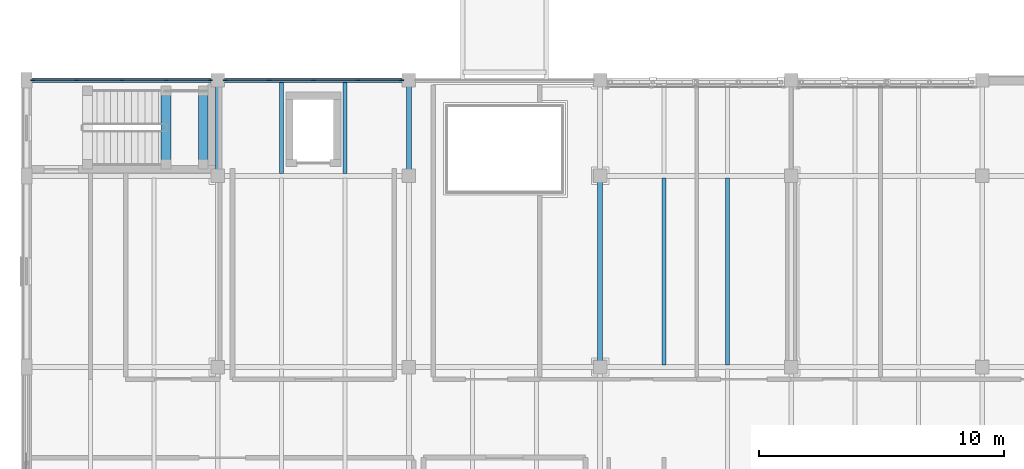
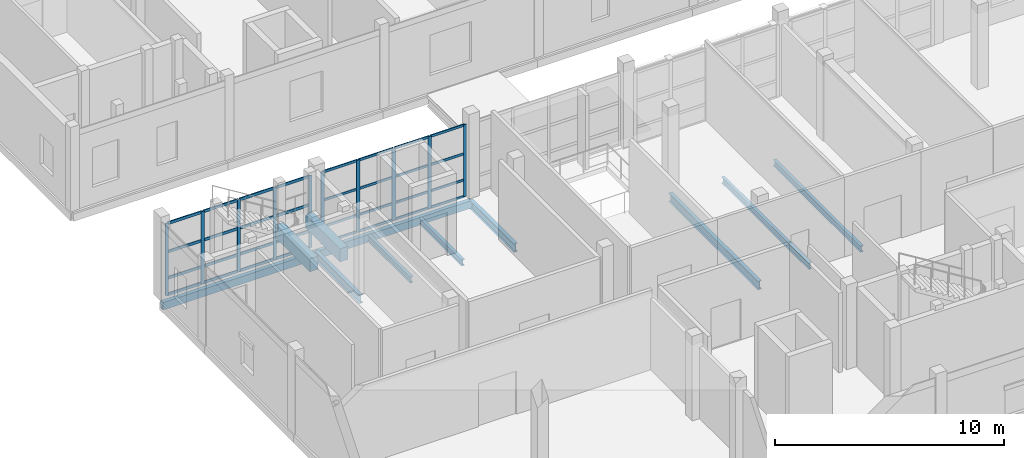
# One storey, part 17 of 119: 42 members, 11 beams, 2 elements without a shape of their own.
"""IFC4 building model written with IfcOpenShell, lengths in metres."""

from ifc_helpers import new_model, si_unit, direction, frame, origin, origin_2d, place, context, subcontext, project, spatial, rectangle, hollow_rectangle, i_section, extrude, material, layer, layer_set, material_profile, profile_set, type_object, element, aggregate, save


model = new_model("IFC4")

# Units and contexts
model_context = context("Model", 3, precision=1e-05, world=origin(), true_north=direction((0.0, 1.0)))
body_context = subcontext(model_context, "Body", "Model", "MODEL_VIEW")
ifc_project = project(units=[si_unit("LENGTHUNIT", "METRE"), si_unit("AREAUNIT", "SQUARE_METRE"), si_unit("VOLUMEUNIT", "CUBIC_METRE"), si_unit("PLANEANGLEUNIT", "RADIAN"), si_unit("MASSUNIT", "GRAM", prefix="KILO")], contexts=[model_context])

# Site, building, storey
site_placement = place(None, origin())
site = spatial("IfcSite", under=ifc_project, at=site_placement, CompositionType="ELEMENT")
building_placement = place(site_placement, origin())
building = spatial("IfcBuilding", under=site, at=building_placement, Name="Celorna Specialist Clinic", CompositionType="ELEMENT")
storey_placement = place(building_placement, frame((0.0, 0.0, 9.60009765625)))
storey = spatial("IfcBuildingStorey", under=building, at=storey_placement, Name="L02", CompositionType="ELEMENT", Elevation=9.60009765625)

# Beams
ifc_material_1 = material(Name="Steel S355", Category="steel")
ifc_material_profile_1 = material_profile(ifc_material_1, i_section(OverallWidth=0.18994140625, OverallDepth=0.449951171875, WebThickness=0.009521484375, FlangeThickness=0.0146484375, at=origin_2d()), Name="IPE 450")
ifc_profile_set_1 = profile_set([ifc_material_profile_1], Name="Steel S355")
beam_type_1 = type_object("IfcBeamType", Name="BM-09", PredefinedType="BEAM", material=ifc_profile_set_1)
for number, where, z_axis, x_axis, name in (
    (1, (7.800048828125, 23.39990234375, -0.485107421875), (0.0, 1.0, 0.0), (-1.0, 0.0, 0.0), "Transverse girder BM-09 #1748"),
    (2, (15.60009765625, 23.39990234375, -0.485107421875), (0.0, 1.0, 0.0), (-1.0, 0.0, 0.0), "Transverse girder BM-09 #1753"),
):
    element("IfcBeam", number, at=place(storey_placement, frame(where, z_axis=z_axis, x_axis=x_axis)), inside=storey, type_object=beam_type_1, Name=name, PredefinedType="BEAM", context=body_context, shape_type="SweptSolid", body=[
        extrude(i_section(OverallWidth=0.18994140625, OverallDepth=0.449951171875, WebThickness=0.009521484375, FlangeThickness=0.0146484375, at=origin_2d()), origin(), (0.0, 0.0, 1.0), 3.900146484375),
    ])
beam_placement = place(storey_placement, frame((23.39990234375, 15.60009765625, -0.485107421875), z_axis=(0.0, 1.0, 0.0), x_axis=(-1.0, 0.0, 0.0)))
element("IfcBeam", 3, at=beam_placement, inside=storey, type_object=beam_type_1, Name="Transverse girder BM-09 #1757", PredefinedType="BEAM", context=body_context, shape_type="SweptSolid", body=[
    extrude(i_section(OverallWidth=0.18994140625, OverallDepth=0.449951171875, WebThickness=0.009521484375, FlangeThickness=0.0146484375, at=origin_2d()), origin(), (0.0, 0.0, 1.0), 7.7998046875),
])
ifc_material_profile_2 = material_profile(ifc_material_1, i_section(OverallWidth=0.159912109375, OverallDepth=0.330078125, WebThickness=0.007568359375, FlangeThickness=0.011474609375, at=origin_2d()), Name="IPE 330")
ifc_profile_set_2 = profile_set([ifc_material_profile_2], Name="Steel S355")
beam_type_2 = type_object("IfcBeamType", Name="BM-12", PredefinedType="JOIST", material=ifc_profile_set_2)
for number, where, z_axis, x_axis, name in (
    (4, (10.39990234375, 23.488037109375, -0.425048828125), (0.0, 1.0, 0.0), (-1.0, 0.0, 0.0), "Secondary floor joist BM-12 #1790"),
    (5, (13.0, 23.488037109375, -0.425048828125), (0.0, 1.0, 0.0), (-1.0, 0.0, 0.0), "Secondary floor joist BM-12 #1791"),
):
    element("IfcBeam", number, at=place(storey_placement, frame(where, z_axis=z_axis, x_axis=x_axis)), inside=storey, type_object=beam_type_2, Name=name, PredefinedType="JOIST", context=body_context, shape_type="SweptSolid", body=[
        extrude(i_section(OverallWidth=0.159912109375, OverallDepth=0.330078125, WebThickness=0.007568359375, FlangeThickness=0.011474609375, at=origin_2d()), origin(), (0.0, 0.0, 1.0), 3.723876953125),
    ])
for number, where, z_axis, x_axis, name in (
    (6, (26.0, 15.68798828125, -0.425048828125), (0.0, 1.0, 0.0), (-1.0, 0.0, 0.0), "Secondary floor joist BM-12 #1801"),
    (7, (28.60009765625, 15.68798828125, -0.425048828125), (0.0, 1.0, 0.0), (-1.0, 0.0, 0.0), "Secondary floor joist BM-12 #1802"),
):
    element("IfcBeam", number, at=place(storey_placement, frame(where, z_axis=z_axis, x_axis=x_axis)), inside=storey, type_object=beam_type_2, Name=name, PredefinedType="JOIST", context=body_context, shape_type="SweptSolid", body=[
        extrude(i_section(OverallWidth=0.159912109375, OverallDepth=0.330078125, WebThickness=0.007568359375, FlangeThickness=0.011474609375, at=origin_2d()), origin(), (0.0, 0.0, 1.0), 7.6240234375),
    ])
ifc_material_profile_3 = material_profile(ifc_material_1, hollow_rectangle(XDim=0.199951171875, YDim=0.39990234375, WallThickness=0.011962890625, at=origin_2d()), Name="RHS 200x400x12")
ifc_profile_set_3 = profile_set([ifc_material_profile_3], Name="Steel S355")
beam_type_3 = type_object("IfcBeamType", Name="BM-15", PredefinedType="SPANDREL", material=ifc_profile_set_3)
for number, where, z_axis, x_axis, name in (
    (8, (0.0, 27.300048828125, -0.460205078125), (1.0, 0.0, 0.0), (0.0, 1.0, 0.0), "Spandrel beam BM-15 #1733"),
    (9, (7.800048828125, 27.300048828125, -0.460205078125), (1.0, 0.0, 0.0), (0.0, 1.0, 0.0), "Spandrel beam BM-15 #1734"),
):
    element("IfcBeam", number, at=place(storey_placement, frame(where, z_axis=z_axis, x_axis=x_axis)), inside=storey, type_object=beam_type_3, Name=name, PredefinedType="SPANDREL", context=body_context, shape_type="SweptSolid", body=[
        extrude(hollow_rectangle(XDim=0.199951171875, YDim=0.39990234375, WallThickness=0.011962890625, at=origin_2d()), origin(), (0.0, 0.0, 1.0), 7.800048828125),
    ])
ifc_material_2 = material(Name="Concrete C35/45", Category="concrete")
ifc_material_profile_4 = material_profile(ifc_material_2, rectangle(XDim=0.39990234375, YDim=0.699951171875, at=origin_2d()), Name="RC 400x700")
ifc_profile_set_4 = profile_set([ifc_material_profile_4], Name="Concrete C35/45")
beam_type_4 = type_object("IfcBeamType", Name="BM-19", PredefinedType="BEAM", material=ifc_profile_set_4)
for number, where, z_axis, x_axis, name in (
    (10, (5.68994140625, 23.8701171875, 1.824951171875), (0.0, 1.0, 0.0), (-1.0, 0.0, 0.0), "Stair ST-04 half-landing beam L02"),
    (11, (7.2099609375, 23.8701171875, 1.824951171875), (0.0, 1.0, 0.0), (-1.0, 0.0, 0.0), "Stair ST-04 half-landing beam L02"),
):
    element("IfcBeam", number, at=place(storey_placement, frame(where, z_axis=z_axis, x_axis=x_axis)), inside=storey, type_object=beam_type_4, Name=name, PredefinedType="BEAM", context=body_context, shape_type="SweptSolid", body=[
        extrude(rectangle(XDim=0.39990234375, YDim=0.699951171875, at=origin_2d()), origin(), (0.0, 0.0, 1.0), 3.0),
    ])

# Curtain wall, members
ifc_material_3 = material(Name="Thermally broken aluminium and solar-control glass curtain wall", Category="aluminium")
ifc_layer_1 = layer(ifc_material_3, 0.159912109375, Name="Thermally broken aluminium and solar-control glass curtain wall")
ifc_layer_set_1 = layer_set([ifc_layer_1], Name="Thermally broken aluminium and solar-control glass curtain wall")
curtain_wall_type_1 = type_object("IfcCurtainWallType", Name="CW-87", PredefinedType="NOTDEFINED", material=ifc_layer_set_1)
curtain_wall_1_placement = place(storey_placement, origin())
curtain_wall_1 = element("IfcCurtainWall", 12, at=curtain_wall_1_placement, inside=storey, type_object=curtain_wall_type_1, Name="Curtain wall CW-87 #161", PredefinedType="NOTDEFINED")
ifc_material_4 = material(Name="Anodized aluminium mullion", Category="aluminium")
ifc_material_profile_5 = material_profile(ifc_material_4, rectangle(XDim=0.050048828125, YDim=0.159912109375, at=origin_2d()), Name="ALU MULLION 50x160")
ifc_profile_set_5 = profile_set([ifc_material_profile_5], Name="Anodized aluminium mullion")
member_type_1 = type_object("IfcMemberType", Name="ML-01", PredefinedType="MULLION", material=ifc_profile_set_5)
member_1_placement = place(storey_placement, frame((0.25390625, 27.300048828125, 0.0), z_axis=(0.0, 0.0, 1.0), x_axis=(0.0, 1.0, 0.0)))
member_1 = element("IfcMember", 13, at=member_1_placement, type_object=member_type_1, Name="CW-87 mullion 1", PredefinedType="MULLION", context=body_context, shape_type="SweptSolid", body=[
    extrude(rectangle(XDim=0.050048828125, YDim=0.159912109375, at=origin_2d()), origin(), (0.0, 0.0, 1.0), 3.83984375),
])
member_2_placement = place(storey_placement, frame((2.052001953125, 27.300048828125, 0.0), z_axis=(0.0, 0.0, 1.0), x_axis=(0.0, 1.0, 0.0)))
member_2 = element("IfcMember", 14, at=member_2_placement, type_object=member_type_1, Name="CW-87 mullion 2", PredefinedType="MULLION", context=body_context, shape_type="SweptSolid", body=[
    extrude(rectangle(XDim=0.050048828125, YDim=0.159912109375, at=origin_2d()), origin(), (0.0, 0.0, 1.0), 3.83984375),
])
member_3_placement = place(storey_placement, frame((3.875, 27.300048828125, 0.0), z_axis=(0.0, 0.0, 1.0), x_axis=(0.0, 1.0, 0.0)))
member_3 = element("IfcMember", 15, at=member_3_placement, type_object=member_type_1, Name="CW-87 mullion 3", PredefinedType="MULLION", context=body_context, shape_type="SweptSolid", body=[
    extrude(rectangle(XDim=0.050048828125, YDim=0.159912109375, at=origin_2d()), origin(), (0.0, 0.0, 1.0), 3.83984375),
])
member_4_placement = place(storey_placement, frame((5.697998046875, 27.300048828125, 0.0), z_axis=(0.0, 0.0, 1.0), x_axis=(0.0, 1.0, 0.0)))
member_4 = element("IfcMember", 16, at=member_4_placement, type_object=member_type_1, Name="CW-87 mullion 4", PredefinedType="MULLION", context=body_context, shape_type="SweptSolid", body=[
    extrude(rectangle(XDim=0.050048828125, YDim=0.159912109375, at=origin_2d()), origin(), (0.0, 0.0, 1.0), 3.83984375),
])
member_5_placement = place(storey_placement, frame((7.49609375, 27.300048828125, 0.0), z_axis=(0.0, 0.0, 1.0), x_axis=(0.0, 1.0, 0.0)))
member_5 = element("IfcMember", 17, at=member_5_placement, type_object=member_type_1, Name="CW-87 mullion 5", PredefinedType="MULLION", context=body_context, shape_type="SweptSolid", body=[
    extrude(rectangle(XDim=0.050048828125, YDim=0.159912109375, at=origin_2d()), origin(), (0.0, 0.0, 1.0), 3.83984375),
])

ifc_layer_2 = layer(ifc_material_3, 0.159912109375, Name="Thermally broken aluminium and solar-control glass curtain wall")
ifc_layer_set_2 = layer_set([ifc_layer_2], Name="Thermally broken aluminium and solar-control glass curtain wall")
curtain_wall_type_2 = type_object("IfcCurtainWallType", Name="CW-88", PredefinedType="NOTDEFINED", material=ifc_layer_set_2)
curtain_wall_2_placement = place(storey_placement, origin())
curtain_wall_2 = element("IfcCurtainWall", 18, at=curtain_wall_2_placement, inside=storey, type_object=curtain_wall_type_2, Name="Curtain wall CW-88 #162", PredefinedType="NOTDEFINED")
ifc_material_profile_6 = material_profile(ifc_material_4, rectangle(XDim=0.050048828125, YDim=0.179931640625, at=origin_2d()), Name="ALU MULLION 50x180")
ifc_profile_set_6 = profile_set([ifc_material_profile_6], Name="Anodized aluminium mullion")
member_type_2 = type_object("IfcMemberType", Name="ML-02", PredefinedType="MULLION", material=ifc_profile_set_6)
member_6_placement = place(storey_placement, frame((8.10400390625, 27.300048828125, 0.0), z_axis=(0.0, 0.0, 1.0), x_axis=(0.0, 1.0, 0.0)))
member_6 = element("IfcMember", 19, at=member_6_placement, type_object=member_type_2, Name="CW-88 mullion 1", PredefinedType="MULLION", context=body_context, shape_type="SweptSolid", body=[
    extrude(rectangle(XDim=0.050048828125, YDim=0.179931640625, at=origin_2d()), origin(), (0.0, 0.0, 1.0), 3.83984375),
])
member_7_placement = place(storey_placement, frame((9.889404296875, 27.300048828125, 0.0), z_axis=(0.0, 0.0, 1.0), x_axis=(0.0, 1.0, 0.0)))
member_7 = element("IfcMember", 20, at=member_7_placement, type_object=member_type_2, Name="CW-88 mullion 2", PredefinedType="MULLION", context=body_context, shape_type="SweptSolid", body=[
    extrude(rectangle(XDim=0.050048828125, YDim=0.179931640625, at=origin_2d()), origin(), (0.0, 0.0, 1.0), 3.83984375),
])
member_8_placement = place(storey_placement, frame((11.699951171875, 27.300048828125, 0.0), z_axis=(0.0, 0.0, 1.0), x_axis=(0.0, 1.0, 0.0)))
member_8 = element("IfcMember", 21, at=member_8_placement, type_object=member_type_2, Name="CW-88 mullion 3", PredefinedType="MULLION", context=body_context, shape_type="SweptSolid", body=[
    extrude(rectangle(XDim=0.050048828125, YDim=0.179931640625, at=origin_2d()), origin(), (0.0, 0.0, 1.0), 3.83984375),
])
member_9_placement = place(storey_placement, frame((13.510498046875, 27.300048828125, 0.0), z_axis=(0.0, 0.0, 1.0), x_axis=(0.0, 1.0, 0.0)))
member_9 = element("IfcMember", 22, at=member_9_placement, type_object=member_type_2, Name="CW-88 mullion 4", PredefinedType="MULLION", context=body_context, shape_type="SweptSolid", body=[
    extrude(rectangle(XDim=0.050048828125, YDim=0.179931640625, at=origin_2d()), origin(), (0.0, 0.0, 1.0), 3.83984375),
])
member_10_placement = place(storey_placement, frame((15.2958984375, 27.300048828125, 0.0), z_axis=(0.0, 0.0, 1.0), x_axis=(0.0, 1.0, 0.0)))
member_10 = element("IfcMember", 23, at=member_10_placement, type_object=member_type_2, Name="CW-88 mullion 5", PredefinedType="MULLION", context=body_context, shape_type="SweptSolid", body=[
    extrude(rectangle(XDim=0.050048828125, YDim=0.179931640625, at=origin_2d()), origin(), (0.0, 0.0, 1.0), 3.83984375),
])
ifc_material_5 = material(Name="Anodized aluminium transom", Category="aluminium")
ifc_material_profile_7 = material_profile(ifc_material_5, rectangle(XDim=0.050048828125, YDim=0.1298828125, at=origin_2d()), Name="ALU TRANSOM 50x130")
ifc_profile_set_7 = profile_set([ifc_material_profile_7], Name="Anodized aluminium transom")
member_type_3 = type_object("IfcMemberType", Name="TR-01", PredefinedType="USERDEFINED", material=ifc_profile_set_7)
member_11_placement = place(storey_placement, frame((8.12890625, 27.300048828125, 0.02490234375), z_axis=(1.0, 0.0, 0.0), x_axis=(0.0, 1.0, 0.0)))
member_11 = element("IfcMember", 24, at=member_11_placement, type_object=member_type_3, Name="CW-88 transom 1.1", ObjectType="TRANSOM", PredefinedType="USERDEFINED", context=body_context, shape_type="SweptSolid", body=[
    extrude(rectangle(XDim=0.050048828125, YDim=0.1298828125, at=origin_2d()), origin(), (0.0, 0.0, 1.0), 1.735595703125),
])
member_12_placement = place(storey_placement, frame((8.12890625, 27.300048828125, 0.89990234375), z_axis=(1.0, 0.0, 0.0), x_axis=(0.0, 1.0, 0.0)))
member_12 = element("IfcMember", 25, at=member_12_placement, type_object=member_type_3, Name="CW-88 transom 1.2", ObjectType="TRANSOM", PredefinedType="USERDEFINED", context=body_context, shape_type="SweptSolid", body=[
    extrude(rectangle(XDim=0.050048828125, YDim=0.1298828125, at=origin_2d()), origin(), (0.0, 0.0, 1.0), 1.735595703125),
])
member_13_placement = place(storey_placement, frame((8.12890625, 27.300048828125, 2.2998046875), z_axis=(1.0, 0.0, 0.0), x_axis=(0.0, 1.0, 0.0)))
member_13 = element("IfcMember", 26, at=member_13_placement, type_object=member_type_3, Name="CW-88 transom 1.3", ObjectType="TRANSOM", PredefinedType="USERDEFINED", context=body_context, shape_type="SweptSolid", body=[
    extrude(rectangle(XDim=0.050048828125, YDim=0.1298828125, at=origin_2d()), origin(), (0.0, 0.0, 1.0), 1.735595703125),
])
member_14_placement = place(storey_placement, frame((8.12890625, 27.300048828125, 3.81494140625), z_axis=(1.0, 0.0, 0.0), x_axis=(0.0, 1.0, 0.0)))
member_14 = element("IfcMember", 27, at=member_14_placement, type_object=member_type_3, Name="CW-88 transom 1.4", ObjectType="TRANSOM", PredefinedType="USERDEFINED", context=body_context, shape_type="SweptSolid", body=[
    extrude(rectangle(XDim=0.050048828125, YDim=0.1298828125, at=origin_2d()), origin(), (0.0, 0.0, 1.0), 1.735595703125),
])
member_15_placement = place(storey_placement, frame((9.91455078125, 27.300048828125, 0.02490234375), z_axis=(1.0, 0.0, 0.0), x_axis=(0.0, 1.0, 0.0)))
member_15 = element("IfcMember", 28, at=member_15_placement, type_object=member_type_3, Name="CW-88 transom 2.1", ObjectType="TRANSOM", PredefinedType="USERDEFINED", context=body_context, shape_type="SweptSolid", body=[
    extrude(rectangle(XDim=0.050048828125, YDim=0.1298828125, at=origin_2d()), origin(), (0.0, 0.0, 1.0), 1.760498046875),
])
member_16_placement = place(storey_placement, frame((9.91455078125, 27.300048828125, 0.89990234375), z_axis=(1.0, 0.0, 0.0), x_axis=(0.0, 1.0, 0.0)))
member_16 = element("IfcMember", 29, at=member_16_placement, type_object=member_type_3, Name="CW-88 transom 2.2", ObjectType="TRANSOM", PredefinedType="USERDEFINED", context=body_context, shape_type="SweptSolid", body=[
    extrude(rectangle(XDim=0.050048828125, YDim=0.1298828125, at=origin_2d()), origin(), (0.0, 0.0, 1.0), 1.760498046875),
])
member_17_placement = place(storey_placement, frame((9.91455078125, 27.300048828125, 2.2998046875), z_axis=(1.0, 0.0, 0.0), x_axis=(0.0, 1.0, 0.0)))
member_17 = element("IfcMember", 30, at=member_17_placement, type_object=member_type_3, Name="CW-88 transom 2.3", ObjectType="TRANSOM", PredefinedType="USERDEFINED", context=body_context, shape_type="SweptSolid", body=[
    extrude(rectangle(XDim=0.050048828125, YDim=0.1298828125, at=origin_2d()), origin(), (0.0, 0.0, 1.0), 1.760498046875),
])
member_18_placement = place(storey_placement, frame((9.91455078125, 27.300048828125, 3.81494140625), z_axis=(1.0, 0.0, 0.0), x_axis=(0.0, 1.0, 0.0)))
member_18 = element("IfcMember", 31, at=member_18_placement, type_object=member_type_3, Name="CW-88 transom 2.4", ObjectType="TRANSOM", PredefinedType="USERDEFINED", context=body_context, shape_type="SweptSolid", body=[
    extrude(rectangle(XDim=0.050048828125, YDim=0.1298828125, at=origin_2d()), origin(), (0.0, 0.0, 1.0), 1.760498046875),
])
member_19_placement = place(storey_placement, frame((11.72509765625, 27.300048828125, 0.02490234375), z_axis=(1.0, 0.0, 0.0), x_axis=(0.0, 1.0, 0.0)))
member_19 = element("IfcMember", 32, at=member_19_placement, type_object=member_type_3, Name="CW-88 transom 3.1", ObjectType="TRANSOM", PredefinedType="USERDEFINED", context=body_context, shape_type="SweptSolid", body=[
    extrude(rectangle(XDim=0.050048828125, YDim=0.1298828125, at=origin_2d()), origin(), (0.0, 0.0, 1.0), 1.760498046875),
])
member_20_placement = place(storey_placement, frame((11.72509765625, 27.300048828125, 0.89990234375), z_axis=(1.0, 0.0, 0.0), x_axis=(0.0, 1.0, 0.0)))
member_20 = element("IfcMember", 33, at=member_20_placement, type_object=member_type_3, Name="CW-88 transom 3.2", ObjectType="TRANSOM", PredefinedType="USERDEFINED", context=body_context, shape_type="SweptSolid", body=[
    extrude(rectangle(XDim=0.050048828125, YDim=0.1298828125, at=origin_2d()), origin(), (0.0, 0.0, 1.0), 1.760498046875),
])
member_21_placement = place(storey_placement, frame((11.72509765625, 27.300048828125, 2.2998046875), z_axis=(1.0, 0.0, 0.0), x_axis=(0.0, 1.0, 0.0)))
member_21 = element("IfcMember", 34, at=member_21_placement, type_object=member_type_3, Name="CW-88 transom 3.3", ObjectType="TRANSOM", PredefinedType="USERDEFINED", context=body_context, shape_type="SweptSolid", body=[
    extrude(rectangle(XDim=0.050048828125, YDim=0.1298828125, at=origin_2d()), origin(), (0.0, 0.0, 1.0), 1.760498046875),
])
member_22_placement = place(storey_placement, frame((11.72509765625, 27.300048828125, 3.81494140625), z_axis=(1.0, 0.0, 0.0), x_axis=(0.0, 1.0, 0.0)))
member_22 = element("IfcMember", 35, at=member_22_placement, type_object=member_type_3, Name="CW-88 transom 3.4", ObjectType="TRANSOM", PredefinedType="USERDEFINED", context=body_context, shape_type="SweptSolid", body=[
    extrude(rectangle(XDim=0.050048828125, YDim=0.1298828125, at=origin_2d()), origin(), (0.0, 0.0, 1.0), 1.760498046875),
])
member_23_placement = place(storey_placement, frame((13.535400390625, 27.300048828125, 0.02490234375), z_axis=(1.0, 0.0, 0.0), x_axis=(0.0, 1.0, 0.0)))
member_23 = element("IfcMember", 36, at=member_23_placement, type_object=member_type_3, Name="CW-88 transom 4.1", ObjectType="TRANSOM", PredefinedType="USERDEFINED", context=body_context, shape_type="SweptSolid", body=[
    extrude(rectangle(XDim=0.050048828125, YDim=0.1298828125, at=origin_2d()), origin(), (0.0, 0.0, 1.0), 1.735595703125),
])
member_24_placement = place(storey_placement, frame((13.535400390625, 27.300048828125, 0.89990234375), z_axis=(1.0, 0.0, 0.0), x_axis=(0.0, 1.0, 0.0)))
member_24 = element("IfcMember", 37, at=member_24_placement, type_object=member_type_3, Name="CW-88 transom 4.2", ObjectType="TRANSOM", PredefinedType="USERDEFINED", context=body_context, shape_type="SweptSolid", body=[
    extrude(rectangle(XDim=0.050048828125, YDim=0.1298828125, at=origin_2d()), origin(), (0.0, 0.0, 1.0), 1.735595703125),
])
member_25_placement = place(storey_placement, frame((13.535400390625, 27.300048828125, 2.2998046875), z_axis=(1.0, 0.0, 0.0), x_axis=(0.0, 1.0, 0.0)))
member_25 = element("IfcMember", 38, at=member_25_placement, type_object=member_type_3, Name="CW-88 transom 4.3", ObjectType="TRANSOM", PredefinedType="USERDEFINED", context=body_context, shape_type="SweptSolid", body=[
    extrude(rectangle(XDim=0.050048828125, YDim=0.1298828125, at=origin_2d()), origin(), (0.0, 0.0, 1.0), 1.735595703125),
])
member_26_placement = place(storey_placement, frame((13.535400390625, 27.300048828125, 3.81494140625), z_axis=(1.0, 0.0, 0.0), x_axis=(0.0, 1.0, 0.0)))
member_26 = element("IfcMember", 39, at=member_26_placement, type_object=member_type_3, Name="CW-88 transom 4.4", ObjectType="TRANSOM", PredefinedType="USERDEFINED", context=body_context, shape_type="SweptSolid", body=[
    extrude(rectangle(XDim=0.050048828125, YDim=0.1298828125, at=origin_2d()), origin(), (0.0, 0.0, 1.0), 1.735595703125),
])
aggregate(curtain_wall_2, [member_6, member_7, member_8, member_9, member_10, member_11, member_12, member_13, member_14, member_15, member_16, member_17, member_18, member_19, member_20, member_21, member_22, member_23, member_24, member_25, member_26])

# Member
ifc_material_profile_8 = material_profile(ifc_material_5, rectangle(XDim=0.050048828125, YDim=0.14990234375, at=origin_2d()), Name="ALU TRANSOM 50x150")
ifc_profile_set_8 = profile_set([ifc_material_profile_8], Name="Anodized aluminium transom")
member_type_4 = type_object("IfcMemberType", Name="TR-02", PredefinedType="USERDEFINED", material=ifc_profile_set_8)
member_27_placement = place(storey_placement, frame((0.279052734375, 27.300048828125, 0.02490234375), z_axis=(1.0, 0.0, 0.0), x_axis=(0.0, 1.0, 0.0)))
member_27 = element("IfcMember", 40, at=member_27_placement, type_object=member_type_4, Name="CW-87 transom 1.1", ObjectType="TRANSOM", PredefinedType="USERDEFINED", context=body_context, shape_type="SweptSolid", body=[
    extrude(rectangle(XDim=0.050048828125, YDim=0.14990234375, at=origin_2d()), origin(), (0.0, 0.0, 1.0), 1.748046875),
])

member_28_placement = place(storey_placement, frame((0.279052734375, 27.300048828125, 0.89990234375), z_axis=(1.0, 0.0, 0.0), x_axis=(0.0, 1.0, 0.0)))
member_28 = element("IfcMember", 41, at=member_28_placement, type_object=member_type_4, Name="CW-87 transom 1.2", ObjectType="TRANSOM", PredefinedType="USERDEFINED", context=body_context, shape_type="SweptSolid", body=[
    extrude(rectangle(XDim=0.050048828125, YDim=0.14990234375, at=origin_2d()), origin(), (0.0, 0.0, 1.0), 1.748046875),
])

member_29_placement = place(storey_placement, frame((0.279052734375, 27.300048828125, 2.2998046875), z_axis=(1.0, 0.0, 0.0), x_axis=(0.0, 1.0, 0.0)))
member_29 = element("IfcMember", 42, at=member_29_placement, type_object=member_type_4, Name="CW-87 transom 1.3", ObjectType="TRANSOM", PredefinedType="USERDEFINED", context=body_context, shape_type="SweptSolid", body=[
    extrude(rectangle(XDim=0.050048828125, YDim=0.14990234375, at=origin_2d()), origin(), (0.0, 0.0, 1.0), 1.748046875),
])

member_30_placement = place(storey_placement, frame((0.279052734375, 27.300048828125, 3.81494140625), z_axis=(1.0, 0.0, 0.0), x_axis=(0.0, 1.0, 0.0)))
member_30 = element("IfcMember", 43, at=member_30_placement, type_object=member_type_4, Name="CW-87 transom 1.4", ObjectType="TRANSOM", PredefinedType="USERDEFINED", context=body_context, shape_type="SweptSolid", body=[
    extrude(rectangle(XDim=0.050048828125, YDim=0.14990234375, at=origin_2d()), origin(), (0.0, 0.0, 1.0), 1.748046875),
])

member_31_placement = place(storey_placement, frame((2.076904296875, 27.300048828125, 0.02490234375), z_axis=(1.0, 0.0, 0.0), x_axis=(0.0, 1.0, 0.0)))
member_31 = element("IfcMember", 44, at=member_31_placement, type_object=member_type_4, Name="CW-87 transom 2.1", ObjectType="TRANSOM", PredefinedType="USERDEFINED", context=body_context, shape_type="SweptSolid", body=[
    extrude(rectangle(XDim=0.050048828125, YDim=0.14990234375, at=origin_2d()), origin(), (0.0, 0.0, 1.0), 1.773193359375),
])

member_32_placement = place(storey_placement, frame((2.076904296875, 27.300048828125, 0.89990234375), z_axis=(1.0, 0.0, 0.0), x_axis=(0.0, 1.0, 0.0)))
member_32 = element("IfcMember", 45, at=member_32_placement, type_object=member_type_4, Name="CW-87 transom 2.2", ObjectType="TRANSOM", PredefinedType="USERDEFINED", context=body_context, shape_type="SweptSolid", body=[
    extrude(rectangle(XDim=0.050048828125, YDim=0.14990234375, at=origin_2d()), origin(), (0.0, 0.0, 1.0), 1.773193359375),
])

member_33_placement = place(storey_placement, frame((2.076904296875, 27.300048828125, 2.2998046875), z_axis=(1.0, 0.0, 0.0), x_axis=(0.0, 1.0, 0.0)))
member_33 = element("IfcMember", 46, at=member_33_placement, type_object=member_type_4, Name="CW-87 transom 2.3", ObjectType="TRANSOM", PredefinedType="USERDEFINED", context=body_context, shape_type="SweptSolid", body=[
    extrude(rectangle(XDim=0.050048828125, YDim=0.14990234375, at=origin_2d()), origin(), (0.0, 0.0, 1.0), 1.773193359375),
])

member_34_placement = place(storey_placement, frame((2.076904296875, 27.300048828125, 3.81494140625), z_axis=(1.0, 0.0, 0.0), x_axis=(0.0, 1.0, 0.0)))
member_34 = element("IfcMember", 47, at=member_34_placement, type_object=member_type_4, Name="CW-87 transom 2.4", ObjectType="TRANSOM", PredefinedType="USERDEFINED", context=body_context, shape_type="SweptSolid", body=[
    extrude(rectangle(XDim=0.050048828125, YDim=0.14990234375, at=origin_2d()), origin(), (0.0, 0.0, 1.0), 1.773193359375),
])

member_35_placement = place(storey_placement, frame((3.89990234375, 27.300048828125, 0.02490234375), z_axis=(1.0, 0.0, 0.0), x_axis=(0.0, 1.0, 0.0)))
member_35 = element("IfcMember", 48, at=member_35_placement, type_object=member_type_4, Name="CW-87 transom 3.1", ObjectType="TRANSOM", PredefinedType="USERDEFINED", context=body_context, shape_type="SweptSolid", body=[
    extrude(rectangle(XDim=0.050048828125, YDim=0.14990234375, at=origin_2d()), origin(), (0.0, 0.0, 1.0), 1.773193359375),
])

member_36_placement = place(storey_placement, frame((3.89990234375, 27.300048828125, 0.89990234375), z_axis=(1.0, 0.0, 0.0), x_axis=(0.0, 1.0, 0.0)))
member_36 = element("IfcMember", 49, at=member_36_placement, type_object=member_type_4, Name="CW-87 transom 3.2", ObjectType="TRANSOM", PredefinedType="USERDEFINED", context=body_context, shape_type="SweptSolid", body=[
    extrude(rectangle(XDim=0.050048828125, YDim=0.14990234375, at=origin_2d()), origin(), (0.0, 0.0, 1.0), 1.773193359375),
])

member_37_placement = place(storey_placement, frame((3.89990234375, 27.300048828125, 2.2998046875), z_axis=(1.0, 0.0, 0.0), x_axis=(0.0, 1.0, 0.0)))
member_37 = element("IfcMember", 50, at=member_37_placement, type_object=member_type_4, Name="CW-87 transom 3.3", ObjectType="TRANSOM", PredefinedType="USERDEFINED", context=body_context, shape_type="SweptSolid", body=[
    extrude(rectangle(XDim=0.050048828125, YDim=0.14990234375, at=origin_2d()), origin(), (0.0, 0.0, 1.0), 1.773193359375),
])

member_38_placement = place(storey_placement, frame((3.89990234375, 27.300048828125, 3.81494140625), z_axis=(1.0, 0.0, 0.0), x_axis=(0.0, 1.0, 0.0)))
member_38 = element("IfcMember", 51, at=member_38_placement, type_object=member_type_4, Name="CW-87 transom 3.4", ObjectType="TRANSOM", PredefinedType="USERDEFINED", context=body_context, shape_type="SweptSolid", body=[
    extrude(rectangle(XDim=0.050048828125, YDim=0.14990234375, at=origin_2d()), origin(), (0.0, 0.0, 1.0), 1.773193359375),
])

member_39_placement = place(storey_placement, frame((5.722900390625, 27.300048828125, 0.02490234375), z_axis=(1.0, 0.0, 0.0), x_axis=(0.0, 1.0, 0.0)))
member_39 = element("IfcMember", 52, at=member_39_placement, type_object=member_type_4, Name="CW-87 transom 4.1", ObjectType="TRANSOM", PredefinedType="USERDEFINED", context=body_context, shape_type="SweptSolid", body=[
    extrude(rectangle(XDim=0.050048828125, YDim=0.14990234375, at=origin_2d()), origin(), (0.0, 0.0, 1.0), 1.748046875),
])

member_40_placement = place(storey_placement, frame((5.722900390625, 27.300048828125, 0.89990234375), z_axis=(1.0, 0.0, 0.0), x_axis=(0.0, 1.0, 0.0)))
member_40 = element("IfcMember", 53, at=member_40_placement, type_object=member_type_4, Name="CW-87 transom 4.2", ObjectType="TRANSOM", PredefinedType="USERDEFINED", context=body_context, shape_type="SweptSolid", body=[
    extrude(rectangle(XDim=0.050048828125, YDim=0.14990234375, at=origin_2d()), origin(), (0.0, 0.0, 1.0), 1.748046875),
])

member_41_placement = place(storey_placement, frame((5.722900390625, 27.300048828125, 2.2998046875), z_axis=(1.0, 0.0, 0.0), x_axis=(0.0, 1.0, 0.0)))
member_41 = element("IfcMember", 54, at=member_41_placement, type_object=member_type_4, Name="CW-87 transom 4.3", ObjectType="TRANSOM", PredefinedType="USERDEFINED", context=body_context, shape_type="SweptSolid", body=[
    extrude(rectangle(XDim=0.050048828125, YDim=0.14990234375, at=origin_2d()), origin(), (0.0, 0.0, 1.0), 1.748046875),
])

member_42_placement = place(storey_placement, frame((5.722900390625, 27.300048828125, 3.81494140625), z_axis=(1.0, 0.0, 0.0), x_axis=(0.0, 1.0, 0.0)))
member_42 = element("IfcMember", 55, at=member_42_placement, type_object=member_type_4, Name="CW-87 transom 4.4", ObjectType="TRANSOM", PredefinedType="USERDEFINED", context=body_context, shape_type="SweptSolid", body=[
    extrude(rectangle(XDim=0.050048828125, YDim=0.14990234375, at=origin_2d()), origin(), (0.0, 0.0, 1.0), 1.748046875),
])

aggregate(curtain_wall_1, [member_1, member_2, member_3, member_4, member_5, member_27, member_28, member_29, member_30, member_31, member_32, member_33, member_34, member_35, member_36, member_37, member_38, member_39, member_40, member_41, member_42])

save(model, "model.ifc")
